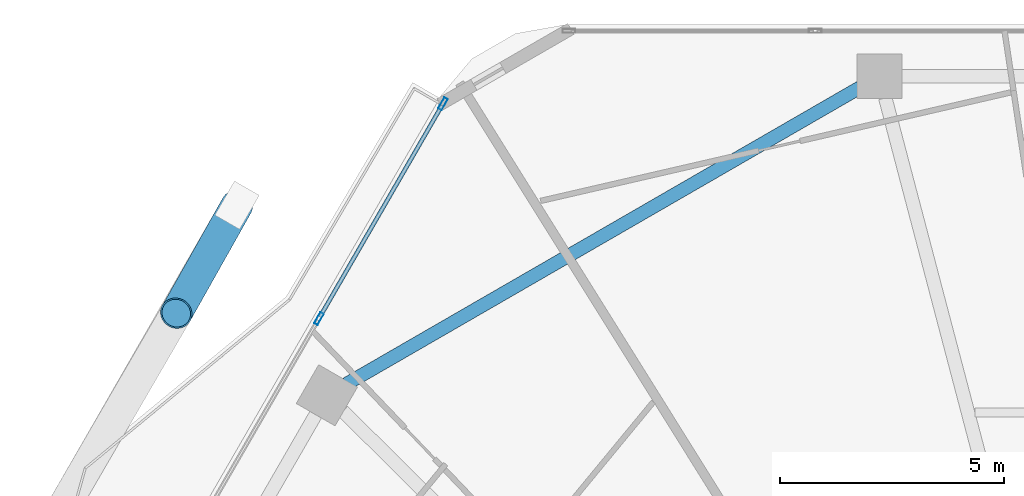
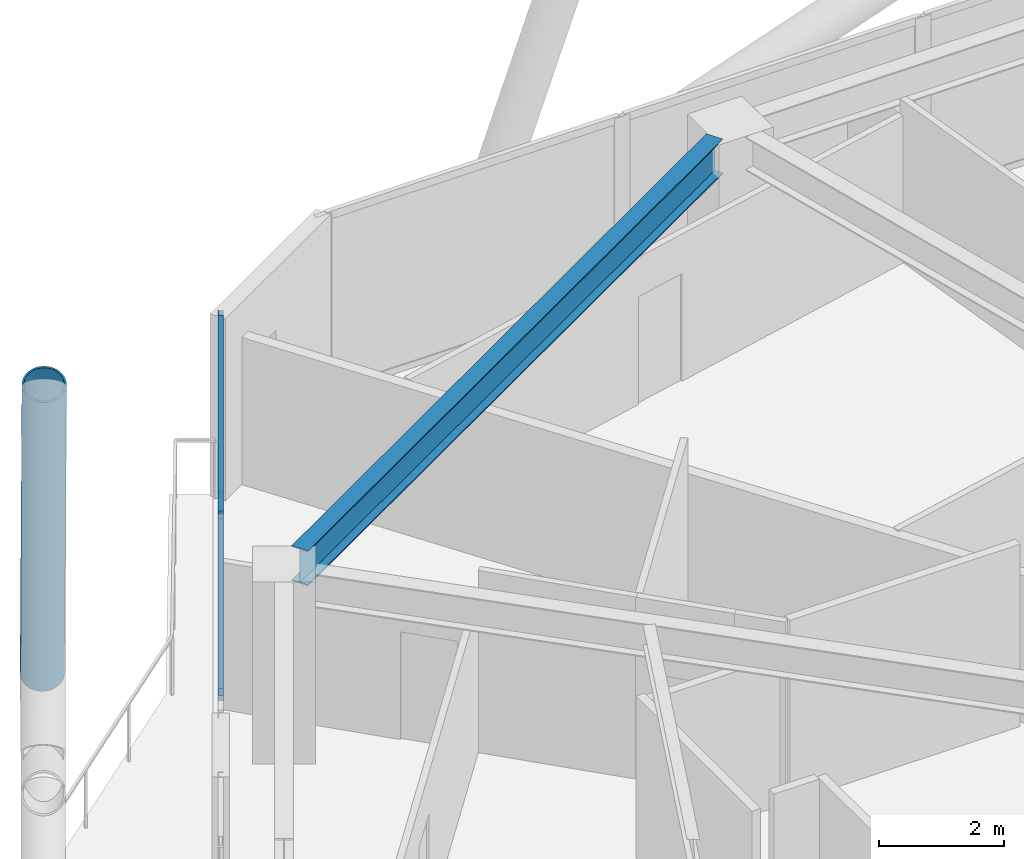
# One storey, part 14 of 30: 5 members, 1 beam, 1 element without a shape of its own.
"""IFC4 building model written with IfcOpenShell, lengths in metres."""

from ifc_helpers import new_model, si_unit, direction, frame, origin, origin_2d, place, context, subcontext, project, spatial, hollow_rectangle, hollow_circle, i_section, extrude, material, material_profile, profile_set, type_object, element, aggregate, save


model = new_model("IFC4")

# Units and contexts
model_context = context("Model", 3, precision=1e-05, world=origin(), true_north=direction((0.0, 1.0)))
body_context = subcontext(model_context, "Body", "Model", "MODEL_VIEW")
ifc_project = project(units=[si_unit("LENGTHUNIT", "METRE"), si_unit("AREAUNIT", "SQUARE_METRE"), si_unit("VOLUMEUNIT", "CUBIC_METRE"), si_unit("PLANEANGLEUNIT", "RADIAN"), si_unit("MASSUNIT", "GRAM", prefix="KILO")], contexts=[model_context])

# Site, building, storey
site_placement = place(None, origin())
site = spatial("IfcSite", under=ifc_project, at=site_placement, CompositionType="ELEMENT")
building_placement = place(site_placement, origin())
building = spatial("IfcBuilding", under=site, at=building_placement, Name="Zuhravey Tower", CompositionType="ELEMENT")
storey_placement = place(building_placement, frame((0.0, 0.0, 177.0)))
storey = spatial("IfcBuildingStorey", under=building, at=storey_placement, Name="L44", CompositionType="ELEMENT", Elevation=177.0)

# Curtain wall, members
ifc_material_1 = material(Name="Thermally broken anodised aluminium", Category="aluminium")
curtain_wall_type = type_object("IfcCurtainWallType", Name="Zone 1-2 Residential Curtain Wall CW3", PredefinedType="NOTDEFINED", material=ifc_material_1)
curtain_wall_placement = place(storey_placement, origin())
curtain_wall = element("IfcCurtainWall", 1, at=curtain_wall_placement, inside=storey, type_object=curtain_wall_type, Name="L44 CW3 CW-L44-F3-2", PredefinedType="NOTDEFINED")
ifc_material_2 = material(Name="Anodised aluminium", Category="aluminium")
ifc_material_profile_1 = material_profile(ifc_material_2, hollow_rectangle(XDim=0.090087890625, YDim=0.284912109375, WallThickness=0.0048828125, at=origin_2d()), Name="ALU-RHS-90x285x5")
ifc_profile_set_1 = profile_set([ifc_material_profile_1], Name="Anodised aluminium")
member_type_1 = type_object("IfcMemberType", Name="Curtain-Wall Mullion 90x180", PredefinedType="MULLION", material=ifc_profile_set_1)
member_1_placement = place(storey_placement, frame((16.597412109375, 52.760009765625, 0.0), z_axis=(0.0, 0.0, 1.0), x_axis=(-0.866025876393, 0.499999181417, 0.0)))
member_1 = element("IfcMember", 2, at=member_1_placement, type_object=member_type_1, Name="CW3 mullion 2", PredefinedType="MULLION", context=body_context, shape_type="SweptSolid", body=[
    extrude(hollow_rectangle(XDim=0.090087890625, YDim=0.284912109375, WallThickness=0.0048828125, at=origin_2d()), origin(), (0.0, 0.0, 1.0), 3.550048828125),
])
member_2_placement = place(storey_placement, frame((19.36669921875, 57.556640625, 0.0), z_axis=(0.0, 0.0, 1.0), x_axis=(-0.866025876393, 0.499999181417, 0.0)))
member_2 = element("IfcMember", 3, at=member_2_placement, type_object=member_type_1, Name="CW3 mullion 3", PredefinedType="MULLION", context=body_context, shape_type="SweptSolid", body=[
    extrude(hollow_rectangle(XDim=0.090087890625, YDim=0.284912109375, WallThickness=0.0048828125, at=origin_2d()), origin(), (0.0, 0.0, 1.0), 3.550048828125),
])
ifc_material_profile_2 = material_profile(ifc_material_2, hollow_rectangle(XDim=0.090087890625, YDim=0.14990234375, WallThickness=0.0048828125, at=origin_2d()), Name="ALU-RHS-90x150x5")
ifc_profile_set_2 = profile_set([ifc_material_profile_2], Name="Anodised aluminium")
member_type_2 = type_object("IfcMemberType", Name="Curtain-Wall Transom 90x150", PredefinedType="USERDEFINED", material=ifc_profile_set_2)
member_3_placement = place(storey_placement, frame((16.6201171875, 52.799072265625, 0.044921875), z_axis=(0.499984921984, 0.866034108906, 0.0), x_axis=(-0.866034108906, 0.499984921984, 0.0)))
member_3 = element("IfcMember", 4, at=member_3_placement, type_object=member_type_2, Name="CW3 transom 2.1", ObjectType="TRANSOM", PredefinedType="USERDEFINED", context=body_context, shape_type="SweptSolid", body=[
    extrude(hollow_rectangle(XDim=0.090087890625, YDim=0.14990234375, WallThickness=0.0048828125, at=origin_2d()), origin(), (0.0, 0.0, 1.0), 5.448486328125),
])
member_4_placement = place(storey_placement, frame((16.6201171875, 52.799072265625, 3.5048828125), z_axis=(0.499984921984, 0.866034108906, 0.0), x_axis=(-0.866034108906, 0.499984921984, 0.0)))
member_4 = element("IfcMember", 5, at=member_4_placement, type_object=member_type_2, Name="CW3 transom 2.2", ObjectType="TRANSOM", PredefinedType="USERDEFINED", context=body_context, shape_type="SweptSolid", body=[
    extrude(hollow_rectangle(XDim=0.090087890625, YDim=0.14990234375, WallThickness=0.0048828125, at=origin_2d()), origin(), (0.0, 0.0, 1.0), 5.448486328125),
])
aggregate(curtain_wall, [member_1, member_2, member_3, member_4])

# Member
ifc_material_3 = material(Name="Steel SM460", Category="steel")
ifc_material_profile_3 = material_profile(ifc_material_3, hollow_circle(Radius=0.355712890625, WallThickness=0.031982421875, at=origin_2d()), Name="CHS-711.2x32")
ifc_profile_set_3 = profile_set([ifc_material_profile_3], Name="Steel SM460")
member_type_3 = type_object("IfcMemberType", Name="Exoskeleton Zone 2 Diagrid CHS711x32", PredefinedType="BRACE", material=ifc_profile_set_3)
member_5_placement = place(storey_placement, frame((14.764404296875, 55.28515625, -0.444091796875), z_axis=(-0.168210915407, -0.298805683816, 0.939372264471), x_axis=(0.871410102193, -0.490555230118, 0.0)))
element("IfcMember", 6, at=member_5_placement, inside=storey, type_object=member_type_3, Name="L44 Face 3 Diagrid Brace 1", PredefinedType="BRACE", context=body_context, shape_type="SweptSolid", body=[
    extrude(hollow_circle(Radius=0.355712890625, WallThickness=0.031982421875, at=origin_2d()), origin(), (0.0, 0.0, 1.0), 8.048095703125),
])

# Beam
ifc_material_4 = material(Name="Steel SM355", Category="steel")
ifc_material_profile_4 = material_profile(ifc_material_4, i_section(OverallWidth=0.300048828125, OverallDepth=0.679931640625, WebThickness=0.012939453125, FlangeThickness=0.02197265625, at=origin_2d()), Name="H-680x300x13x22")
ifc_profile_set_4 = profile_set([ifc_material_profile_4], Name="Steel SM355")
beam_type = type_object("IfcBeamType", Name="Perimeter Ring Beam H680x300", PredefinedType="BEAM", material=ifc_profile_set_4)
beam_placement = place(storey_placement, frame((28.682373046875, 57.921630859375, 3.2099609375), z_axis=(-0.866022923061, -0.500004296715, 0.0), x_axis=(0.500004296715, -0.866022923061, 0.0)))
element("IfcBeam", 7, at=beam_placement, inside=storey, type_object=beam_type, Name="L44 PB2 BM-L44-PB-04", PredefinedType="BEAM", context=body_context, shape_type="SweptSolid", body=[
    extrude(i_section(OverallWidth=0.300048828125, OverallDepth=0.679931640625, WebThickness=0.012939453125, FlangeThickness=0.02197265625, at=origin_2d()), origin(), (0.0, 0.0, 1.0), 13.2470703125),
])

save(model, "model.ifc")
